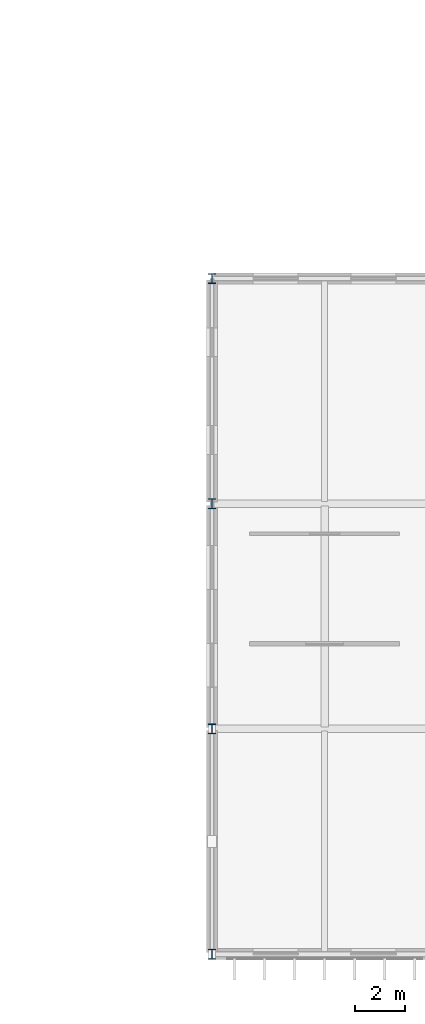
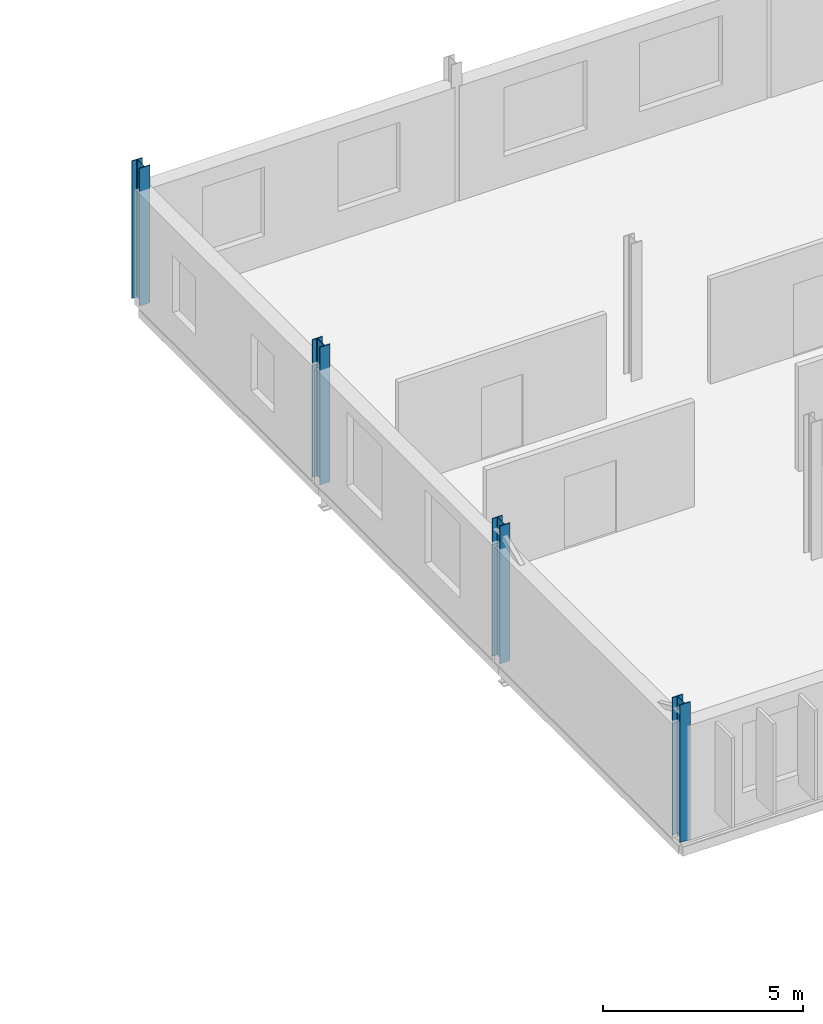
# One storey, part 6 of 161: 4 columns.
"""IFC4 building model written with IfcOpenShell, lengths in metres."""

from ifc_helpers import new_model, si_unit, direction, frame, origin, origin_2d, place, context, subcontext, project, spatial, i_section, extrude, material, material_profile, profile_set, type_object, element, save


model = new_model("IFC4")

# Units and contexts
model_context = context("Model", 3, precision=1e-05, world=origin(), true_north=direction((0.0, 1.0)))
body_context = subcontext(model_context, "Body", "Model", "MODEL_VIEW")
ifc_project = project(units=[si_unit("LENGTHUNIT", "METRE"), si_unit("AREAUNIT", "SQUARE_METRE"), si_unit("VOLUMEUNIT", "CUBIC_METRE"), si_unit("PLANEANGLEUNIT", "RADIAN"), si_unit("MASSUNIT", "GRAM", prefix="KILO")], contexts=[model_context])

# Site, building, storey
site_placement = place(None, origin())
site = spatial("IfcSite", under=ifc_project, at=site_placement, CompositionType="ELEMENT")
building_placement = place(site_placement, origin())
building = spatial("IfcBuilding", under=site, at=building_placement, Name="Kildeholm Park Wholesale Market", CompositionType="ELEMENT")
storey_placement = place(building_placement, frame((0.0, 0.0, 5.39990234375)))
storey = spatial("IfcBuildingStorey", under=building, at=storey_placement, Name="L01", CompositionType="ELEMENT", Elevation=5.39990234375)

# Columns
ifc_material = material(Name="Steel S355", Category="steel")
ifc_material_profile = material_profile(ifc_material, i_section(OverallWidth=0.300048828125, OverallDepth=0.39990234375, WebThickness=0.013427734375, FlangeThickness=0.02392578125, FilletRadius=0.027099609375, at=origin_2d()), Name="HEB 400")
ifc_profile_set = profile_set([ifc_material_profile], Name="Steel S355")
column_type = type_object("IfcColumnType", Name="Column C-S05 HEB 400", PredefinedType="COLUMN", material=ifc_profile_set)
for number, where, z_axis, x_axis, name in (
    (1, (126.0, 0.0, 0.0), (0.0, 0.0, 1.0), (1.0, 0.0, 0.0), "Column V5E-126-000 L01 COL-0761"),
    (2, (126.0, 9.0, 0.0), (0.0, 0.0, 1.0), (1.0, 0.0, 0.0), "Column V5E-126-009 L01 COL-0764"),
    (3, (126.0, 18.0, 0.0), (0.0, 0.0, 1.0), (1.0, 0.0, 0.0), "Column V5E-126-018 L01 COL-0767"),
    (4, (126.0, 27.0, 0.0), (0.0, 0.0, 1.0), (1.0, 0.0, 0.0), "Column V5E-126-027 L01 COL-0770"),
):
    element("IfcColumn", number, at=place(storey_placement, frame(where, z_axis=z_axis, x_axis=x_axis)), inside=storey, type_object=column_type, Name=name, PredefinedType="COLUMN", context=body_context, shape_type="SweptSolid", body=[
        extrude(i_section(OverallWidth=0.300048828125, OverallDepth=0.39990234375, WebThickness=0.013427734375, FlangeThickness=0.02392578125, FilletRadius=0.027099609375, at=origin_2d()), origin(), (0.0, 0.0, 1.0), 4.2001953125),
    ])

save(model, "model.ifc")
